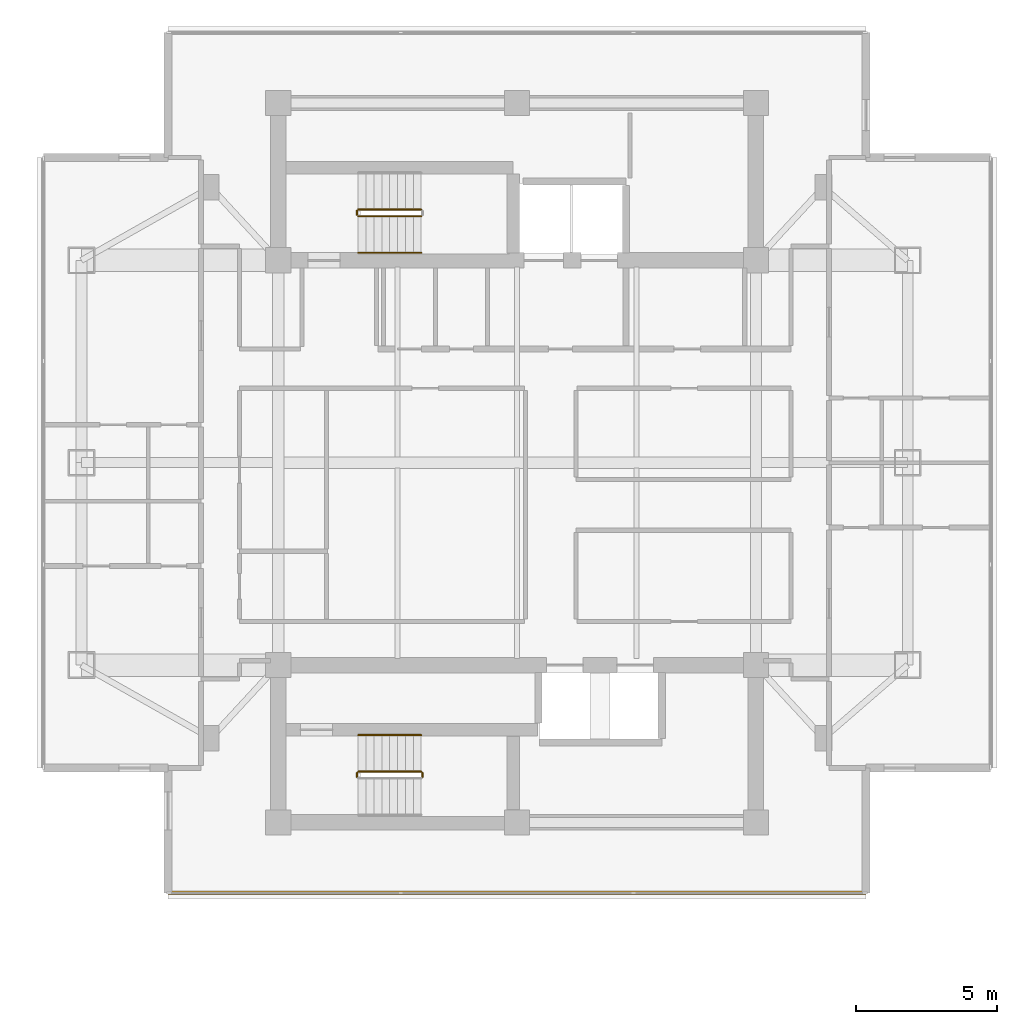
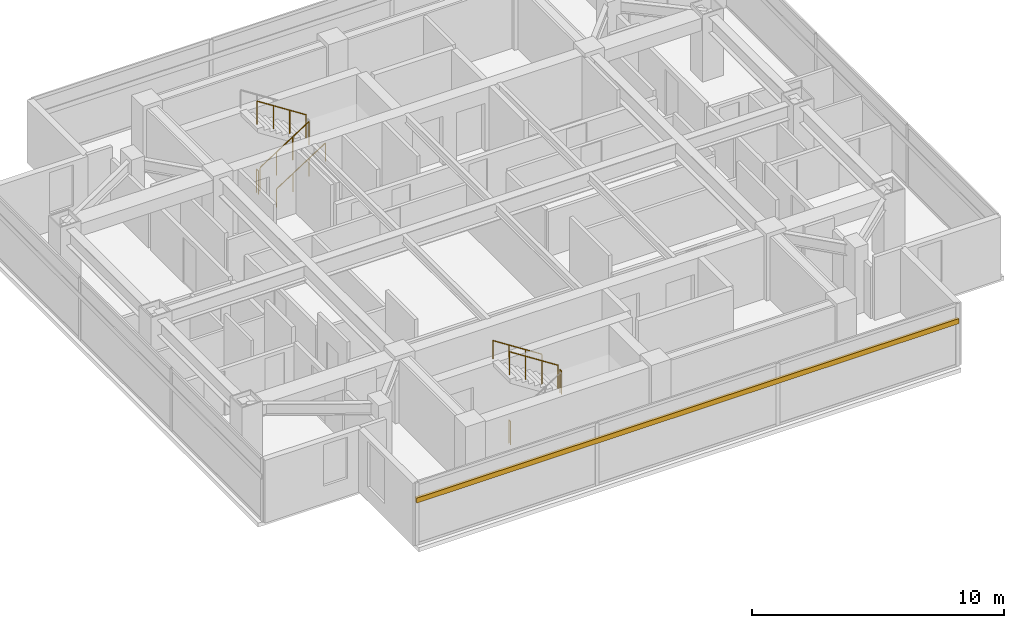
# One storey, part 22 of 24: 8 railings, 1 shading device.
"""IFC4 building model written with IfcOpenShell, lengths in metres."""

from ifc_helpers import new_model, si_unit, direction, frame, origin, origin_2d, place, context, subcontext, project, spatial, rectangle, circle, extrude, material, material_profile, profile_set, type_object, element, save


model = new_model("IFC4")

# Units and contexts
model_context = context("Model", 3, precision=1e-05, world=origin(), true_north=direction((0.0, 1.0)))
body_context = subcontext(model_context, "Body", "Model", "MODEL_VIEW")
ifc_project = project(units=[si_unit("LENGTHUNIT", "METRE"), si_unit("AREAUNIT", "SQUARE_METRE"), si_unit("VOLUMEUNIT", "CUBIC_METRE"), si_unit("PLANEANGLEUNIT", "RADIAN"), si_unit("MASSUNIT", "GRAM", prefix="KILO")], contexts=[model_context])

# Site, building, storey
site_placement = place(None, origin())
site = spatial("IfcSite", under=ifc_project, at=site_placement, CompositionType="ELEMENT")
building_placement = place(site_placement, origin())
building = spatial("IfcBuilding", under=site, at=building_placement, Name="Mirazonda Arch Towers", CompositionType="ELEMENT")
storey_placement = place(building_placement, frame((0.0, 0.0, 190.14990234375)))
storey = spatial("IfcBuildingStorey", under=building, at=storey_placement, Name="L54", CompositionType="ELEMENT", Elevation=190.14990234375)

# Shading device
ifc_material_1 = material(Name="Kiln-Fired Architectural Terracotta", Category="masonry")
ifc_material_profile = material_profile(ifc_material_1, rectangle(XDim=0.1201171875, YDim=0.239990234375, at=origin_2d()), Name="TERRA-BAG-120x240")
ifc_profile_set = profile_set([ifc_material_profile], Name="Kiln-Fired Architectural Terracotta")
shading_device_type = type_object("IfcShadingDeviceType", Name="BAGUETTE-1", PredefinedType="USERDEFINED", material=ifc_profile_set)
shading_device_placement = place(storey_placement, frame((88.913818359375, 12.69482421875, 2.181640625), z_axis=(-1.0, 0.0, 0.0), x_axis=(0.0, -1.0, 0.0)))
element("IfcShadingDevice", 1, at=shading_device_placement, inside=storey, type_object=shading_device_type, Name="L54 Glazed Terracotta Sun-Screen Baguette CW-L54-T2-S", ObjectType="BAGUETTE", PredefinedType="USERDEFINED", context=body_context, shape_type="SweptSolid", body=[
    extrude(rectangle(XDim=0.1201171875, YDim=0.239990234375, at=origin_2d()), origin(), (0.0, 0.0, 1.0), 24.82763671875),
])

# Railings
ifc_material_2 = material(Name="Architectural Brushed Steel S355", Category="steel")
railing_type_1 = type_object("IfcRailingType", Name="GUARD-STAIR-1120", PredefinedType="GUARDRAIL", material=ifc_material_2)
railing_1_placement = place(storey_placement, frame((70.85009765625, 36.77001953125, 0.1806640625)))
element("IfcRailing", 2, at=railing_1_placement, inside=storey, type_object=railing_type_1, Name="L54 ST-T2N stair guard 1", PredefinedType="GUARDRAIL", context=body_context, shape_type="SweptSolid", body=[
    extrude(circle(Radius=0.02392578125, at=origin_2d()), frame((0.0, 0.0, 1.1259765625), z_axis=(0.840436612492, 0.0, 0.541909863706), x_axis=(0.0, 1.0, 0.0)), (0.0, 0.0, 1.0), 2.665283203125),
    extrude(circle(Radius=0.02099609375, at=origin_2d()), origin(), (0.0, 0.0, 1.0), 1.101806640625),
    extrude(circle(Radius=0.02099609375, at=origin_2d()), frame((0.74658203125, 0.0, 0.4814453125)), (0.0, 0.0, 1.0), 1.101806640625),
    extrude(circle(Radius=0.02099609375, at=origin_2d()), frame((1.493408203125, 0.0, 0.962890625)), (0.0, 0.0, 1.0), 1.101806640625),
    extrude(circle(Radius=0.02099609375, at=origin_2d()), frame((2.239990234375, 0.0, 1.4443359375)), (0.0, 0.0, 1.0), 1.101806640625),
])
railing_2_placement = place(storey_placement, frame((73.090087890625, 37.010009765625, 1.8056640625)))
element("IfcRailing", 3, at=railing_2_placement, inside=storey, type_object=railing_type_1, Name="L54 ST-T2N stair guard 3", PredefinedType="GUARDRAIL", context=body_context, shape_type="SweptSolid", body=[
    extrude(circle(Radius=0.02392578125, at=origin_2d()), frame((0.0, 0.0, 1.1259765625), z_axis=(-0.840436612492, 0.0, 0.541909863706), x_axis=(0.0, -1.0, 0.0)), (0.0, 0.0, 1.0), 2.665283203125),
    extrude(circle(Radius=0.02099609375, at=origin_2d()), origin(), (0.0, 0.0, 1.0), 1.101806640625),
    extrude(circle(Radius=0.02099609375, at=origin_2d()), frame((-0.74658203125, 0.0, 0.4814453125)), (0.0, 0.0, 1.0), 1.101806640625),
    extrude(circle(Radius=0.02099609375, at=origin_2d()), frame((-1.493408203125, 0.0, 0.962890625)), (0.0, 0.0, 1.0), 1.101806640625),
    extrude(circle(Radius=0.02099609375, at=origin_2d()), frame((-2.239990234375, 0.0, 1.4443359375)), (0.0, 0.0, 1.0), 1.101806640625),
])
for number, where, name in (
    (4, (70.800048828125, 36.820068359375, 0.0), "L54 ST-T2N stair guard 4"),
    (5, (73.139892578125, 16.820068359375, 1.625), "L54 ST-T2S stair guard 2"),
):
    element("IfcRailing", number, at=place(storey_placement, frame(where)), inside=storey, type_object=railing_type_1, Name=name, PredefinedType="GUARDRAIL", context=body_context, shape_type="SweptSolid", body=[
        extrude(circle(Radius=0.02392578125, at=origin_2d()), frame((0.0, 0.0, 1.1259765625), z_axis=(0.0, 1.0, 0.0), x_axis=(-1.0, 0.0, 0.0)), (0.0, 0.0, 1.0), 0.139892578125),
        extrude(circle(Radius=0.02099609375, at=origin_2d()), origin(), (0.0, 0.0, 1.0), 1.101806640625),
        extrude(circle(Radius=0.02099609375, at=origin_2d()), frame((0.0, 0.139892578125, 0.0)), (0.0, 0.0, 1.0), 1.101806640625),
    ])
railing_3_placement = place(storey_placement, frame((73.090087890625, 17.010009765625, 1.8056640625)))
element("IfcRailing", 6, at=railing_3_placement, inside=storey, type_object=railing_type_1, Name="L54 ST-T2S stair guard 3", PredefinedType="GUARDRAIL", context=body_context, shape_type="SweptSolid", body=[
    extrude(circle(Radius=0.02392578125, at=origin_2d()), frame((0.0, 0.0, 1.1259765625), z_axis=(-0.840436612492, 0.0, 0.541909863706), x_axis=(0.0, -1.0, 0.0)), (0.0, 0.0, 1.0), 2.665283203125),
    extrude(circle(Radius=0.02099609375, at=origin_2d()), origin(), (0.0, 0.0, 1.0), 1.101806640625),
    extrude(circle(Radius=0.02099609375, at=origin_2d()), frame((-0.74658203125, 0.0, 0.4814453125)), (0.0, 0.0, 1.0), 1.101806640625),
    extrude(circle(Radius=0.02099609375, at=origin_2d()), frame((-1.493408203125, 0.0, 0.962890625)), (0.0, 0.0, 1.0), 1.101806640625),
    extrude(circle(Radius=0.02099609375, at=origin_2d()), frame((-2.239990234375, 0.0, 1.4443359375)), (0.0, 0.0, 1.0), 1.101806640625),
])
railing_4_placement = place(storey_placement, frame((70.800048828125, 16.820068359375, 0.0)))
element("IfcRailing", 7, at=railing_4_placement, inside=storey, type_object=railing_type_1, Name="L54 ST-T2S stair guard 4", PredefinedType="GUARDRAIL", context=body_context, shape_type="SweptSolid", body=[
    extrude(circle(Radius=0.02392578125, at=origin_2d()), frame((0.0, 0.0, 1.1259765625), z_axis=(0.0, 1.0, 0.0), x_axis=(-1.0, 0.0, 0.0)), (0.0, 0.0, 1.0), 0.139892578125),
    extrude(circle(Radius=0.02099609375, at=origin_2d()), origin(), (0.0, 0.0, 1.0), 1.101806640625),
    extrude(circle(Radius=0.02099609375, at=origin_2d()), frame((0.0, 0.139892578125, 0.0)), (0.0, 0.0, 1.0), 1.101806640625),
])
railing_type_2 = type_object("IfcRailingType", Name="HANDRAIL-915", PredefinedType="HANDRAIL", material=ifc_material_2)
railing_5_placement = place(storey_placement, frame((70.85009765625, 35.469970703125, 0.1806640625)))
element("IfcRailing", 8, at=railing_5_placement, inside=storey, type_object=railing_type_2, Name="L54 ST-T2N stair handrail 1", PredefinedType="HANDRAIL", context=body_context, shape_type="SweptSolid", body=[
    extrude(circle(Radius=0.02392578125, at=origin_2d()), frame((0.0, 0.0, 0.8759765625), z_axis=(0.840436612492, 0.0, 0.541909863706), x_axis=(0.0, 1.0, 0.0)), (0.0, 0.0, 1.0), 2.665283203125),
    extrude(circle(Radius=0.02099609375, at=origin_2d()), origin(), (0.0, 0.0, 1.0), 0.851806640625),
    extrude(circle(Radius=0.02099609375, at=origin_2d()), frame((0.74658203125, 0.0, 0.4814453125)), (0.0, 0.0, 1.0), 0.851806640625),
    extrude(circle(Radius=0.02099609375, at=origin_2d()), frame((1.493408203125, 0.0, 0.962890625)), (0.0, 0.0, 1.0), 0.851806640625),
    extrude(circle(Radius=0.02099609375, at=origin_2d()), frame((2.239990234375, 0.0, 1.4443359375)), (0.0, 0.0, 1.0), 0.851806640625),
])
railing_6_placement = place(storey_placement, frame((73.090087890625, 18.31005859375, 1.8056640625)))
element("IfcRailing", 9, at=railing_6_placement, inside=storey, type_object=railing_type_2, Name="L54 ST-T2S stair handrail 2", PredefinedType="HANDRAIL", context=body_context, shape_type="SweptSolid", body=[
    extrude(circle(Radius=0.02392578125, at=origin_2d()), frame((0.0, 0.0, 0.8759765625), z_axis=(-0.840436612492, 0.0, 0.541909863706), x_axis=(0.0, -1.0, 0.0)), (0.0, 0.0, 1.0), 2.665283203125),
    extrude(circle(Radius=0.02099609375, at=origin_2d()), origin(), (0.0, 0.0, 1.0), 0.851806640625),
    extrude(circle(Radius=0.02099609375, at=origin_2d()), frame((-0.74658203125, 0.0, 0.4814453125)), (0.0, 0.0, 1.0), 0.851806640625),
    extrude(circle(Radius=0.02099609375, at=origin_2d()), frame((-1.493408203125, 0.0, 0.962890625)), (0.0, 0.0, 1.0), 0.851806640625),
    extrude(circle(Radius=0.02099609375, at=origin_2d()), frame((-2.239990234375, 0.0, 1.4443359375)), (0.0, 0.0, 1.0), 0.851806640625),
])

save(model, "model.ifc")
